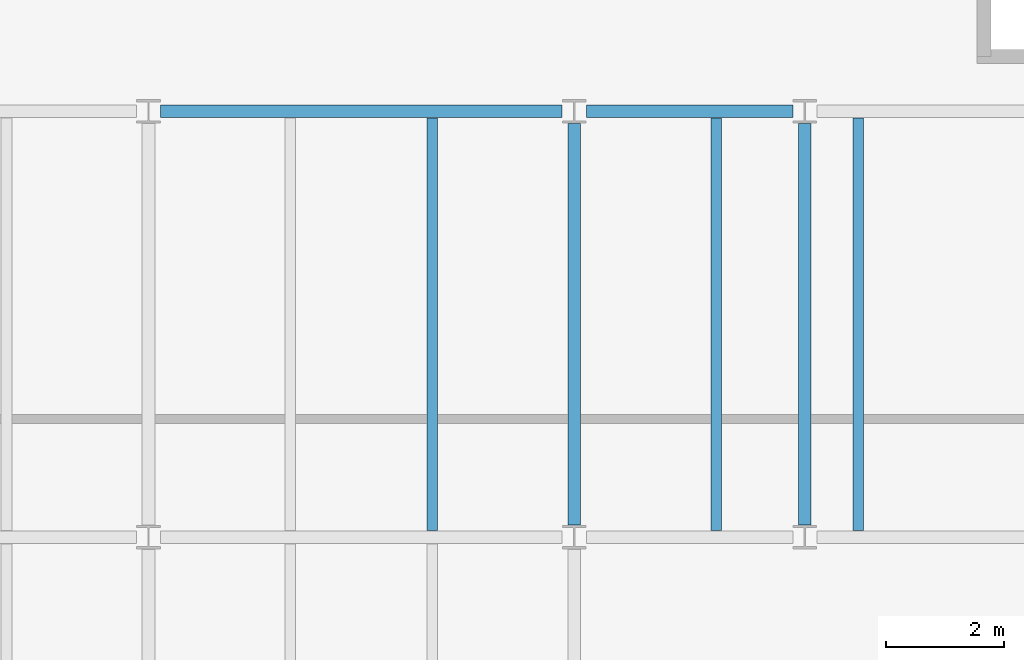
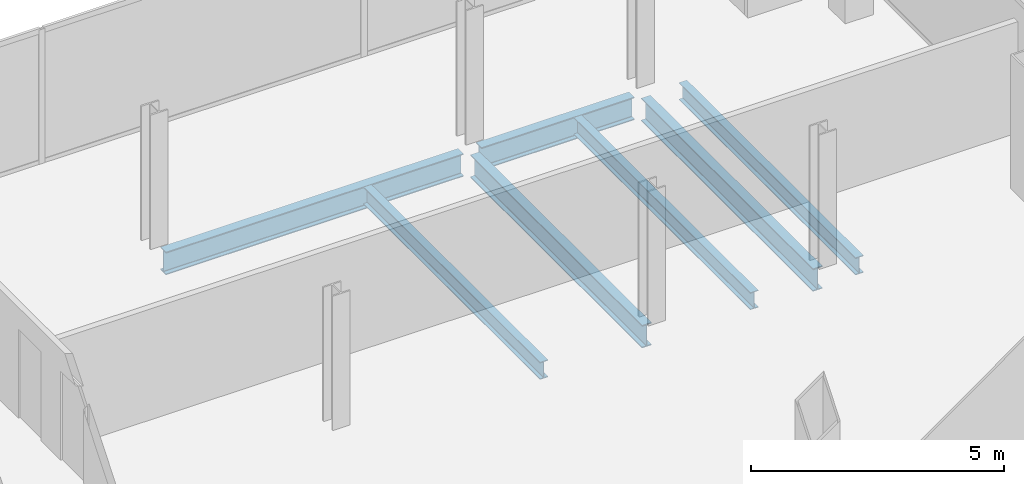
# One storey, part 15 of 23: 7 beams.
"""IFC4 building model written with IfcOpenShell, lengths in metres."""

from ifc_helpers import new_model, si_unit, direction, frame, origin, origin_2d, place, context, subcontext, project, spatial, i_section, extrude, material, material_profile, profile_set, type_object, element, save


model = new_model("IFC4")

# Units and contexts
model_context = context("Model", 3, precision=1e-05, world=origin(), true_north=direction((0.0, 1.0)))
body_context = subcontext(model_context, "Body", "Model", "MODEL_VIEW")
ifc_project = project(units=[si_unit("LENGTHUNIT", "METRE"), si_unit("AREAUNIT", "SQUARE_METRE"), si_unit("VOLUMEUNIT", "CUBIC_METRE"), si_unit("PLANEANGLEUNIT", "RADIAN"), si_unit("MASSUNIT", "GRAM", prefix="KILO")], contexts=[model_context])

# Site, building, storey
site_placement = place(None, origin())
site = spatial("IfcSite", under=ifc_project, at=site_placement, CompositionType="ELEMENT")
building_placement = place(site_placement, origin())
building = spatial("IfcBuilding", under=site, at=building_placement, Name="Cobrela Telecom Tower", CompositionType="ELEMENT")
storey_placement = place(building_placement, frame((0.0, 0.0, 255.14990234375)))
storey = spatial("IfcBuildingStorey", under=building, at=storey_placement, Name="L66", CompositionType="ELEMENT", Elevation=255.14990234375)

# Beams
ifc_material = material(Name="Steel ASTM A992 Grade 50", Category="steel")
ifc_material_profile_1 = material_profile(ifc_material, i_section(OverallWidth=0.212890625, OverallDepth=0.549072265625, WebThickness=0.0146484375, FlangeThickness=0.023681640625, FilletRadius=0.013916015625, at=origin_2d()), Name="W21X93")
ifc_profile_set_1 = profile_set([ifc_material_profile_1], Name="Steel ASTM A992 Grade 50")
beam_type_1 = type_object("IfcBeamType", Name="BM-GIRD-08", PredefinedType="USERDEFINED", material=ifc_profile_set_1)
beam_1_placement = place(storey_placement, frame((29.00439453125, 21.60009765625, -0.534423828125), z_axis=(1.0, 0.0, 0.0), x_axis=(0.0, 1.0, 0.0)))
element("IfcBeam", 1, at=beam_1_placement, inside=storey, type_object=beam_type_1, Name="L66 Primary Girder X12", ObjectType="GIRDER", PredefinedType="USERDEFINED", context=body_context, shape_type="SweptSolid", body=[
    extrude(i_section(OverallWidth=0.212890625, OverallDepth=0.549072265625, WebThickness=0.0146484375, FlangeThickness=0.023681640625, FilletRadius=0.013916015625, at=origin_2d()), origin(), (0.0, 0.0, 1.0), 6.791015625),
])
beam_2_placement = place(storey_placement, frame((36.20458984375, 21.60009765625, -0.534423828125), z_axis=(1.0, 0.0, 0.0), x_axis=(0.0, 1.0, 0.0)))
element("IfcBeam", 2, at=beam_2_placement, inside=storey, type_object=beam_type_1, Name="L66 Primary Girder X13", ObjectType="GIRDER", PredefinedType="USERDEFINED", context=body_context, shape_type="SweptSolid", body=[
    extrude(i_section(OverallWidth=0.212890625, OverallDepth=0.549072265625, WebThickness=0.0146484375, FlangeThickness=0.023681640625, FilletRadius=0.013916015625, at=origin_2d()), origin(), (0.0, 0.0, 1.0), 3.490966796875),
])
for number, where, z_axis, x_axis, name in (
    (3, (36.0, 14.6044921875, -0.534423828125), (0.0, 1.0, 0.0), (-1.0, 0.0, 0.0), "L66 Primary Girder Y32"),
    (4, (39.89990234375, 14.6044921875, -0.534423828125), (0.0, 1.0, 0.0), (-1.0, 0.0, 0.0), "L66 Primary Girder Y33"),
):
    element("IfcBeam", number, at=place(storey_placement, frame(where, z_axis=z_axis, x_axis=x_axis)), inside=storey, type_object=beam_type_1, Name=name, ObjectType="GIRDER", PredefinedType="USERDEFINED", context=body_context, shape_type="SweptSolid", body=[
        extrude(i_section(OverallWidth=0.212890625, OverallDepth=0.549072265625, WebThickness=0.0146484375, FlangeThickness=0.023681640625, FilletRadius=0.013916015625, at=origin_2d()), origin(), (0.0, 0.0, 1.0), 6.791015625),
    ])
ifc_material_profile_2 = material_profile(ifc_material, i_section(OverallWidth=0.179931640625, OverallDepth=0.4169921875, WebThickness=0.010986328125, FlangeThickness=0.01806640625, FilletRadius=0.011962890625, at=origin_2d()), Name="W16X57")
ifc_profile_set_2 = profile_set([ifc_material_profile_2], Name="Steel ASTM A992 Grade 50")
beam_type_2 = type_object("IfcBeamType", Name="BM-JOIST-04", PredefinedType="JOIST", material=ifc_profile_set_2)
for number, where, z_axis, x_axis, name in (
    (5, (33.60009765625, 14.511474609375, -0.468505859375), (0.0, 1.0, 0.0), (-1.0, 0.0, 0.0), "L66 Secondary Composite Floor Beam J14"),
    (6, (38.39990234375, 14.511474609375, -0.468505859375), (0.0, 1.0, 0.0), (-1.0, 0.0, 0.0), "L66 Secondary Composite Floor Beam J15"),
    (7, (40.800048828125, 14.511474609375, -0.468505859375), (0.0, 1.0, 0.0), (-1.0, 0.0, 0.0), "L66 Secondary Composite Floor Beam J16"),
):
    element("IfcBeam", number, at=place(storey_placement, frame(where, z_axis=z_axis, x_axis=x_axis)), inside=storey, type_object=beam_type_2, Name=name, PredefinedType="JOIST", context=body_context, shape_type="SweptSolid", body=[
        extrude(i_section(OverallWidth=0.179931640625, OverallDepth=0.4169921875, WebThickness=0.010986328125, FlangeThickness=0.01806640625, FilletRadius=0.011962890625, at=origin_2d()), origin(), (0.0, 0.0, 1.0), 6.97705078125),
    ])

save(model, "model.ifc")
